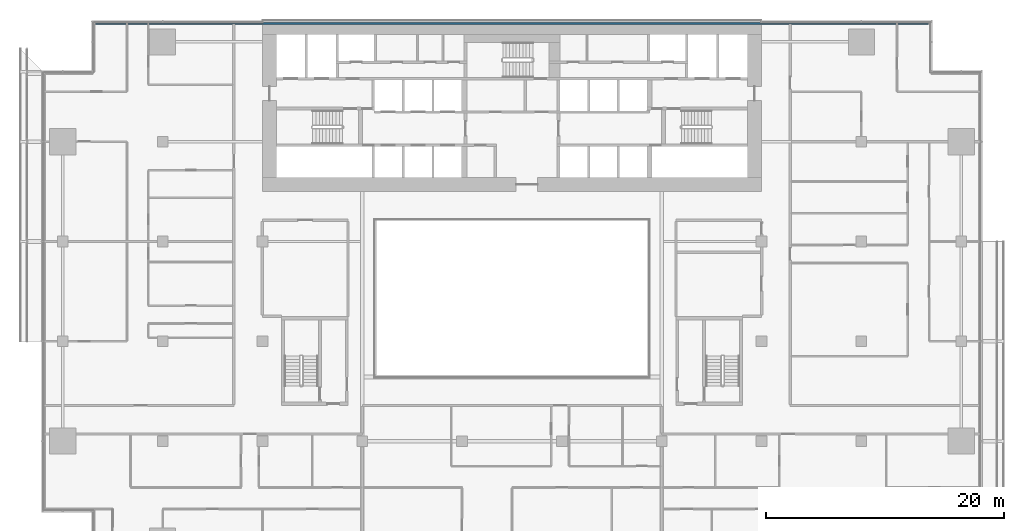
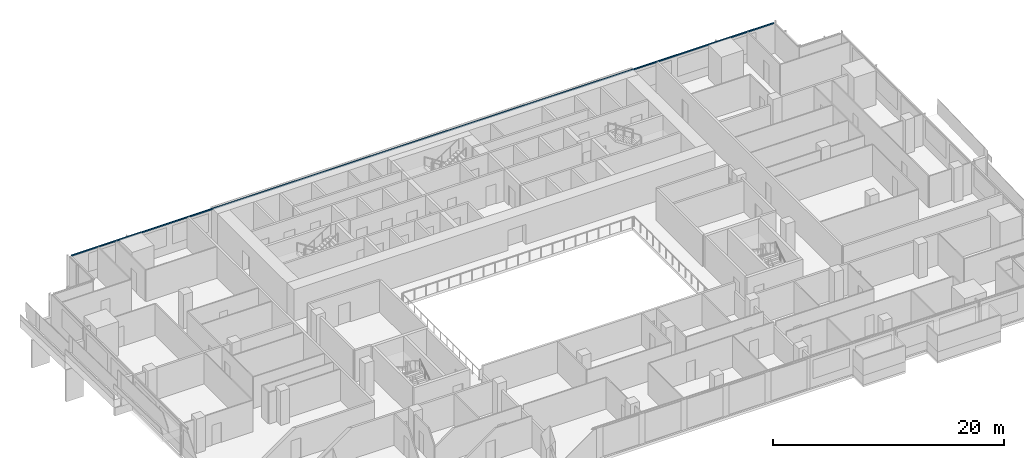
# One storey, part 9 of 28: 1 member, 1 element without a shape of its own.
"""IFC4 building model written with IfcOpenShell, lengths in metres."""

from ifc_helpers import new_model, si_unit, direction, frame, origin, origin_2d, place, context, subcontext, project, spatial, rectangle, extrude, material, material_profile, profile_set, type_object, element, aggregate, save


model = new_model("IFC4")

# Units and contexts
model_context = context("Model", 3, precision=1e-05, world=origin(), true_north=direction((0.0, 1.0)))
body_context = subcontext(model_context, "Body", "Model", "MODEL_VIEW")
ifc_project = project(units=[si_unit("LENGTHUNIT", "METRE"), si_unit("AREAUNIT", "SQUARE_METRE"), si_unit("VOLUMEUNIT", "CUBIC_METRE"), si_unit("PLANEANGLEUNIT", "RADIAN"), si_unit("MASSUNIT", "GRAM", prefix="KILO")], contexts=[model_context])

# Site, building, storey
site_placement = place(None, origin())
site = spatial("IfcSite", under=ifc_project, at=site_placement, CompositionType="ELEMENT")
building_placement = place(site_placement, origin())
building = spatial("IfcBuilding", under=site, at=building_placement, Name="Saffron Gate Tower", CompositionType="ELEMENT")
storey_placement = place(building_placement, frame((0.0, 0.0, 51.60009765625)))
storey = spatial("IfcBuildingStorey", under=building, at=storey_placement, Name="L11", CompositionType="ELEMENT", Elevation=51.60009765625)

# Curtain wall, member
ifc_material = material(Name="Aluminium, bronze anodised", Category="aluminium")
curtain_wall_type = type_object("IfcCurtainWallType", Name="CWS3 curtain wall rear facade", PredefinedType="NOTDEFINED", material=ifc_material)
curtain_wall_placement = place(storey_placement, origin())
curtain_wall = element("IfcCurtainWall", 1, at=curtain_wall_placement, inside=storey, type_object=curtain_wall_type, Name="CWS3 run 7", PredefinedType="NOTDEFINED")
ifc_material_profile = material_profile(ifc_material, rectangle(XDim=0.1201171875, YDim=0.1201171875, at=origin_2d()))
ifc_profile_set = profile_set([ifc_material_profile], Name="Aluminium, bronze anodised")
member_type = type_object("IfcMemberType", Name="CWS3 head transom", PredefinedType="USERDEFINED", material=ifc_profile_set)
member_placement = place(storey_placement, frame((122.632080078125, 75.35205078125, 3.260009765625), z_axis=(-1.0, 0.0, 0.0), x_axis=(0.0, -1.0, 0.0)))
member = element("IfcMember", 2, at=member_placement, type_object=member_type, Name="CWS3 head transom", ObjectType="TRANSOM", PredefinedType="USERDEFINED", context=body_context, shape_type="SweptSolid", body=[
    extrude(rectangle(XDim=0.1201171875, YDim=0.1201171875, at=origin_2d()), origin(), (0.0, 0.0, 1.0), 70.06396484375),
])
aggregate(curtain_wall, [member])

save(model, "model.ifc")
